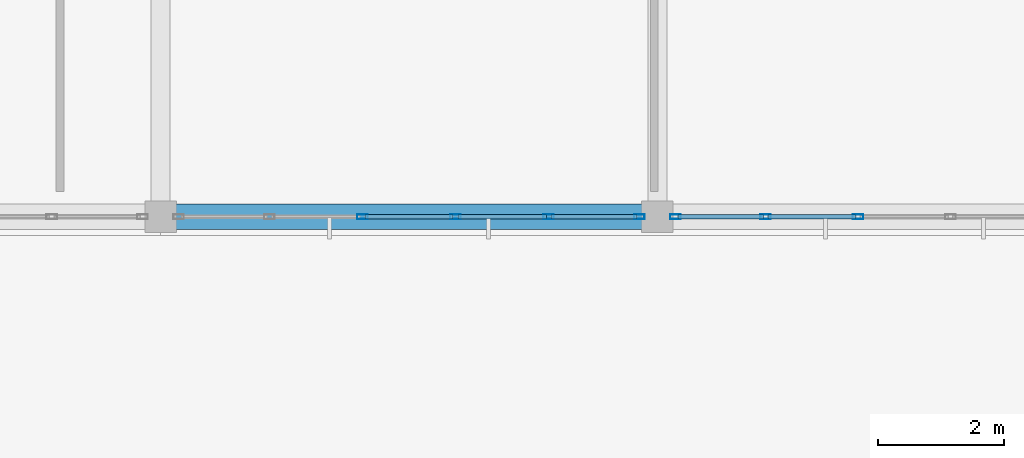
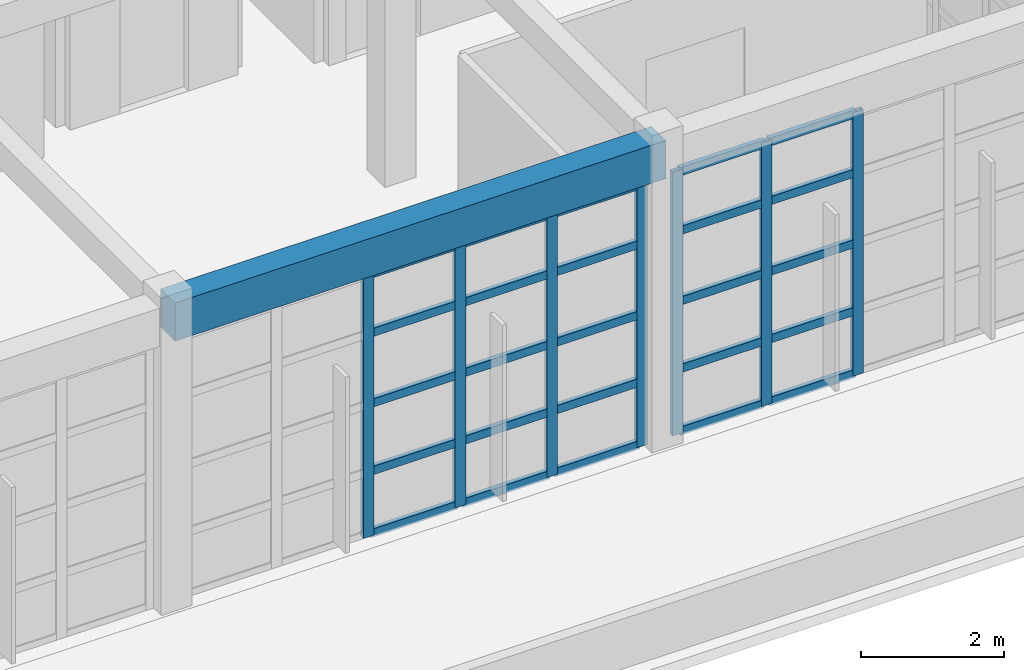
# One storey, part 7 of 103: 32 members, 1 beam, 2 elements without a shape of their own.
"""IFC4 building model written with IfcOpenShell, lengths in metres."""

from ifc_helpers import new_model, si_unit, direction, frame, origin, origin_2d, place, context, subcontext, project, spatial, rectangle, hollow_rectangle, extrude, material, layer, layer_set, material_profile, profile_set, type_object, element, aggregate, save


model = new_model("IFC4")

# Units and contexts
model_context = context("Model", 3, precision=1e-05, world=origin(), true_north=direction((0.0, 1.0)))
body_context = subcontext(model_context, "Body", "Model", "MODEL_VIEW")
ifc_project = project(units=[si_unit("LENGTHUNIT", "METRE"), si_unit("AREAUNIT", "SQUARE_METRE"), si_unit("VOLUMEUNIT", "CUBIC_METRE"), si_unit("PLANEANGLEUNIT", "RADIAN"), si_unit("MASSUNIT", "GRAM", prefix="KILO")], contexts=[model_context])

# Site, building, storey
site_placement = place(None, origin())
site = spatial("IfcSite", under=ifc_project, at=site_placement, CompositionType="ELEMENT")
building_placement = place(site_placement, origin())
building = spatial("IfcBuilding", under=site, at=building_placement, Name="Candilejo Ridge Gondola Terminal", CompositionType="ELEMENT")
storey_placement = place(building_placement, frame((0.0, 0.0, 9.0)))
storey = spatial("IfcBuildingStorey", under=building, at=storey_placement, Name="L02", CompositionType="ELEMENT", Elevation=9.0)

# Curtain wall, members
ifc_material_1 = material(Name="Anodised aluminium AA 6063-T6", Category="aluminium")
ifc_layer_1 = layer(ifc_material_1, 0.169921875)
ifc_layer_set_1 = layer_set([ifc_layer_1], Name="ARC-CW-GALLERY-3200-740X449")
curtain_wall_type_1 = type_object("IfcCurtainWallType", Name="ARC-CW-GALLERY-3200-740X449", PredefinedType="NOTDEFINED", material=ifc_layer_set_1)
curtain_wall_1_placement = place(storey_placement, origin())
curtain_wall_1 = element("IfcCurtainWall", 1, at=curtain_wall_1_placement, inside=storey, type_object=curtain_wall_type_1, Name="Curtain wall V1 L02-011", PredefinedType="NOTDEFINED")
ifc_material_2 = material(Name="Anodised aluminium AA 6063-T6", Category="aluminium")
ifc_material_profile_1 = material_profile(ifc_material_2, hollow_rectangle(XDim=0.074951171875, YDim=0.169921875, WallThickness=0.00390625, at=origin_2d()))
ifc_profile_set_1 = profile_set([ifc_material_profile_1], Name="Anodised aluminium AA 6063-T6")
member_type_1 = type_object("IfcMemberType", Name="ARC-CW-MULLION", PredefinedType="MULLION", material=ifc_profile_set_1)
member_1_placement = place(storey_placement, frame((23.31005859375, 10.800048828125, 0.0), z_axis=(0.0, 0.0, 1.0), x_axis=(0.0, 1.0, 0.0)))
member_1 = element("IfcMember", 2, at=member_1_placement, type_object=member_type_1, Name="CW-74X44 mullion 3", PredefinedType="MULLION", context=body_context, shape_type="SweptSolid", body=[
    extrude(hollow_rectangle(XDim=0.074951171875, YDim=0.169921875, WallThickness=0.00390625, at=origin_2d()), origin(), (0.0, 0.0, 1.0), 4.489990234375),
])
member_2_placement = place(storey_placement, frame((24.7900390625, 10.800048828125, 0.0), z_axis=(0.0, 0.0, 1.0), x_axis=(0.0, 1.0, 0.0)))
member_2 = element("IfcMember", 3, at=member_2_placement, type_object=member_type_1, Name="CW-74X44 mullion 4", PredefinedType="MULLION", context=body_context, shape_type="SweptSolid", body=[
    extrude(hollow_rectangle(XDim=0.074951171875, YDim=0.169921875, WallThickness=0.00390625, at=origin_2d()), origin(), (0.0, 0.0, 1.0), 4.489990234375),
])
member_3_placement = place(storey_placement, frame((26.27001953125, 10.800048828125, 0.0), z_axis=(0.0, 0.0, 1.0), x_axis=(0.0, 1.0, 0.0)))
member_3 = element("IfcMember", 4, at=member_3_placement, type_object=member_type_1, Name="CW-74X44 mullion 5", PredefinedType="MULLION", context=body_context, shape_type="SweptSolid", body=[
    extrude(hollow_rectangle(XDim=0.074951171875, YDim=0.169921875, WallThickness=0.00390625, at=origin_2d()), origin(), (0.0, 0.0, 1.0), 4.489990234375),
])
member_4_placement = place(storey_placement, frame((27.71240234375, 10.800048828125, 0.0), z_axis=(0.0, 0.0, 1.0), x_axis=(0.0, 1.0, 0.0)))
member_4 = element("IfcMember", 5, at=member_4_placement, type_object=member_type_1, Name="CW-74X44 mullion 6", PredefinedType="MULLION", context=body_context, shape_type="SweptSolid", body=[
    extrude(hollow_rectangle(XDim=0.074951171875, YDim=0.169921875, WallThickness=0.00390625, at=origin_2d()), origin(), (0.0, 0.0, 1.0), 4.489990234375),
])

ifc_material_3 = material(Name="Anodised aluminium AA 6063-T6", Category="aluminium")
ifc_layer_2 = layer(ifc_material_3, 0.169921875)
ifc_layer_set_2 = layer_set([ifc_layer_2], Name="ARC-CW-GALLERY-3200-735X449")
curtain_wall_type_2 = type_object("IfcCurtainWallType", Name="ARC-CW-GALLERY-3200-735X449", PredefinedType="NOTDEFINED", material=ifc_layer_set_2)
curtain_wall_2_placement = place(storey_placement, origin())
curtain_wall_2 = element("IfcCurtainWall", 6, at=curtain_wall_2_placement, inside=storey, type_object=curtain_wall_type_2, Name="Curtain wall V1 L02-015", PredefinedType="NOTDEFINED")
member_5_placement = place(storey_placement, frame((28.28759765625, 10.800048828125, 0.0), z_axis=(0.0, 0.0, 1.0), x_axis=(0.0, 1.0, 0.0)))
member_5 = element("IfcMember", 7, at=member_5_placement, type_object=member_type_1, Name="CW-73X44 mullion 1", PredefinedType="MULLION", context=body_context, shape_type="SweptSolid", body=[
    extrude(hollow_rectangle(XDim=0.074951171875, YDim=0.169921875, WallThickness=0.00390625, at=origin_2d()), origin(), (0.0, 0.0, 1.0), 4.489990234375),
])
member_6_placement = place(storey_placement, frame((29.719970703125, 10.800048828125, 0.0), z_axis=(0.0, 0.0, 1.0), x_axis=(0.0, 1.0, 0.0)))
member_6 = element("IfcMember", 8, at=member_6_placement, type_object=member_type_1, Name="CW-73X44 mullion 2", PredefinedType="MULLION", context=body_context, shape_type="SweptSolid", body=[
    extrude(hollow_rectangle(XDim=0.074951171875, YDim=0.169921875, WallThickness=0.00390625, at=origin_2d()), origin(), (0.0, 0.0, 1.0), 4.489990234375),
])
member_7_placement = place(storey_placement, frame((31.18994140625, 10.800048828125, 0.0), z_axis=(0.0, 0.0, 1.0), x_axis=(0.0, 1.0, 0.0)))
member_7 = element("IfcMember", 9, at=member_7_placement, type_object=member_type_1, Name="CW-73X44 mullion 3", PredefinedType="MULLION", context=body_context, shape_type="SweptSolid", body=[
    extrude(hollow_rectangle(XDim=0.074951171875, YDim=0.169921875, WallThickness=0.00390625, at=origin_2d()), origin(), (0.0, 0.0, 1.0), 4.489990234375),
])

# Member
ifc_material_4 = material(Name="Anodised aluminium AA 6063-T6", Category="aluminium")
ifc_material_profile_2 = material_profile(ifc_material_4, hollow_rectangle(XDim=0.074951171875, YDim=0.139892578125, WallThickness=0.00390625, at=origin_2d()))
ifc_profile_set_2 = profile_set([ifc_material_profile_2], Name="Anodised aluminium AA 6063-T6")
member_type_2 = type_object("IfcMemberType", Name="ARC-CW-TRANSOM", PredefinedType="USERDEFINED", material=ifc_profile_set_2)
member_8_placement = place(storey_placement, frame((23.347412109375, 10.800048828125, 0.03759765625), z_axis=(1.0, 0.0, 0.0), x_axis=(0.0, 1.0, 0.0)))
member_8 = element("IfcMember", 10, at=member_8_placement, type_object=member_type_2, Name="CW-74X44 transom 3.1", ObjectType="TRANSOM", PredefinedType="USERDEFINED", context=body_context, shape_type="SweptSolid", body=[
    extrude(hollow_rectangle(XDim=0.074951171875, YDim=0.139892578125, WallThickness=0.00390625, at=origin_2d()), origin(), (0.0, 0.0, 1.0), 1.405029296875),
])

member_9_placement = place(storey_placement, frame((23.347412109375, 10.800048828125, 1.10009765625), z_axis=(1.0, 0.0, 0.0), x_axis=(0.0, 1.0, 0.0)))
member_9 = element("IfcMember", 11, at=member_9_placement, type_object=member_type_2, Name="CW-74X44 transom 3.2", ObjectType="TRANSOM", PredefinedType="USERDEFINED", context=body_context, shape_type="SweptSolid", body=[
    extrude(hollow_rectangle(XDim=0.074951171875, YDim=0.139892578125, WallThickness=0.00390625, at=origin_2d()), origin(), (0.0, 0.0, 1.0), 1.405029296875),
])

member_10_placement = place(storey_placement, frame((23.347412109375, 10.800048828125, 2.25), z_axis=(1.0, 0.0, 0.0), x_axis=(0.0, 1.0, 0.0)))
member_10 = element("IfcMember", 12, at=member_10_placement, type_object=member_type_2, Name="CW-74X44 transom 3.3", ObjectType="TRANSOM", PredefinedType="USERDEFINED", context=body_context, shape_type="SweptSolid", body=[
    extrude(hollow_rectangle(XDim=0.074951171875, YDim=0.139892578125, WallThickness=0.00390625, at=origin_2d()), origin(), (0.0, 0.0, 1.0), 1.405029296875),
])

member_11_placement = place(storey_placement, frame((23.347412109375, 10.800048828125, 3.449951171875), z_axis=(1.0, 0.0, 0.0), x_axis=(0.0, 1.0, 0.0)))
member_11 = element("IfcMember", 13, at=member_11_placement, type_object=member_type_2, Name="CW-74X44 transom 3.4", ObjectType="TRANSOM", PredefinedType="USERDEFINED", context=body_context, shape_type="SweptSolid", body=[
    extrude(hollow_rectangle(XDim=0.074951171875, YDim=0.139892578125, WallThickness=0.00390625, at=origin_2d()), origin(), (0.0, 0.0, 1.0), 1.405029296875),
])

member_12_placement = place(storey_placement, frame((23.347412109375, 10.800048828125, 4.452392578125), z_axis=(1.0, 0.0, 0.0), x_axis=(0.0, 1.0, 0.0)))
member_12 = element("IfcMember", 14, at=member_12_placement, type_object=member_type_2, Name="CW-74X44 transom 3.5", ObjectType="TRANSOM", PredefinedType="USERDEFINED", context=body_context, shape_type="SweptSolid", body=[
    extrude(hollow_rectangle(XDim=0.074951171875, YDim=0.139892578125, WallThickness=0.00390625, at=origin_2d()), origin(), (0.0, 0.0, 1.0), 1.405029296875),
])

member_13_placement = place(storey_placement, frame((24.827392578125, 10.800048828125, 0.03759765625), z_axis=(1.0, 0.0, 0.0), x_axis=(0.0, 1.0, 0.0)))
member_13 = element("IfcMember", 15, at=member_13_placement, type_object=member_type_2, Name="CW-74X44 transom 4.1", ObjectType="TRANSOM", PredefinedType="USERDEFINED", context=body_context, shape_type="SweptSolid", body=[
    extrude(hollow_rectangle(XDim=0.074951171875, YDim=0.139892578125, WallThickness=0.00390625, at=origin_2d()), origin(), (0.0, 0.0, 1.0), 1.405029296875),
])

member_14_placement = place(storey_placement, frame((24.827392578125, 10.800048828125, 1.10009765625), z_axis=(1.0, 0.0, 0.0), x_axis=(0.0, 1.0, 0.0)))
member_14 = element("IfcMember", 16, at=member_14_placement, type_object=member_type_2, Name="CW-74X44 transom 4.2", ObjectType="TRANSOM", PredefinedType="USERDEFINED", context=body_context, shape_type="SweptSolid", body=[
    extrude(hollow_rectangle(XDim=0.074951171875, YDim=0.139892578125, WallThickness=0.00390625, at=origin_2d()), origin(), (0.0, 0.0, 1.0), 1.405029296875),
])

member_15_placement = place(storey_placement, frame((24.827392578125, 10.800048828125, 2.25), z_axis=(1.0, 0.0, 0.0), x_axis=(0.0, 1.0, 0.0)))
member_15 = element("IfcMember", 17, at=member_15_placement, type_object=member_type_2, Name="CW-74X44 transom 4.3", ObjectType="TRANSOM", PredefinedType="USERDEFINED", context=body_context, shape_type="SweptSolid", body=[
    extrude(hollow_rectangle(XDim=0.074951171875, YDim=0.139892578125, WallThickness=0.00390625, at=origin_2d()), origin(), (0.0, 0.0, 1.0), 1.405029296875),
])

member_16_placement = place(storey_placement, frame((24.827392578125, 10.800048828125, 3.449951171875), z_axis=(1.0, 0.0, 0.0), x_axis=(0.0, 1.0, 0.0)))
member_16 = element("IfcMember", 18, at=member_16_placement, type_object=member_type_2, Name="CW-74X44 transom 4.4", ObjectType="TRANSOM", PredefinedType="USERDEFINED", context=body_context, shape_type="SweptSolid", body=[
    extrude(hollow_rectangle(XDim=0.074951171875, YDim=0.139892578125, WallThickness=0.00390625, at=origin_2d()), origin(), (0.0, 0.0, 1.0), 1.405029296875),
])

member_17_placement = place(storey_placement, frame((24.827392578125, 10.800048828125, 4.452392578125), z_axis=(1.0, 0.0, 0.0), x_axis=(0.0, 1.0, 0.0)))
member_17 = element("IfcMember", 19, at=member_17_placement, type_object=member_type_2, Name="CW-74X44 transom 4.5", ObjectType="TRANSOM", PredefinedType="USERDEFINED", context=body_context, shape_type="SweptSolid", body=[
    extrude(hollow_rectangle(XDim=0.074951171875, YDim=0.139892578125, WallThickness=0.00390625, at=origin_2d()), origin(), (0.0, 0.0, 1.0), 1.405029296875),
])

member_18_placement = place(storey_placement, frame((26.3076171875, 10.800048828125, 0.03759765625), z_axis=(1.0, 0.0, 0.0), x_axis=(0.0, 1.0, 0.0)))
member_18 = element("IfcMember", 20, at=member_18_placement, type_object=member_type_2, Name="CW-74X44 transom 5.1", ObjectType="TRANSOM", PredefinedType="USERDEFINED", context=body_context, shape_type="SweptSolid", body=[
    extrude(hollow_rectangle(XDim=0.074951171875, YDim=0.139892578125, WallThickness=0.00390625, at=origin_2d()), origin(), (0.0, 0.0, 1.0), 1.367431640625),
])

member_19_placement = place(storey_placement, frame((26.3076171875, 10.800048828125, 1.10009765625), z_axis=(1.0, 0.0, 0.0), x_axis=(0.0, 1.0, 0.0)))
member_19 = element("IfcMember", 21, at=member_19_placement, type_object=member_type_2, Name="CW-74X44 transom 5.2", ObjectType="TRANSOM", PredefinedType="USERDEFINED", context=body_context, shape_type="SweptSolid", body=[
    extrude(hollow_rectangle(XDim=0.074951171875, YDim=0.139892578125, WallThickness=0.00390625, at=origin_2d()), origin(), (0.0, 0.0, 1.0), 1.367431640625),
])

member_20_placement = place(storey_placement, frame((26.3076171875, 10.800048828125, 2.25), z_axis=(1.0, 0.0, 0.0), x_axis=(0.0, 1.0, 0.0)))
member_20 = element("IfcMember", 22, at=member_20_placement, type_object=member_type_2, Name="CW-74X44 transom 5.3", ObjectType="TRANSOM", PredefinedType="USERDEFINED", context=body_context, shape_type="SweptSolid", body=[
    extrude(hollow_rectangle(XDim=0.074951171875, YDim=0.139892578125, WallThickness=0.00390625, at=origin_2d()), origin(), (0.0, 0.0, 1.0), 1.367431640625),
])

member_21_placement = place(storey_placement, frame((26.3076171875, 10.800048828125, 3.449951171875), z_axis=(1.0, 0.0, 0.0), x_axis=(0.0, 1.0, 0.0)))
member_21 = element("IfcMember", 23, at=member_21_placement, type_object=member_type_2, Name="CW-74X44 transom 5.4", ObjectType="TRANSOM", PredefinedType="USERDEFINED", context=body_context, shape_type="SweptSolid", body=[
    extrude(hollow_rectangle(XDim=0.074951171875, YDim=0.139892578125, WallThickness=0.00390625, at=origin_2d()), origin(), (0.0, 0.0, 1.0), 1.367431640625),
])

member_22_placement = place(storey_placement, frame((26.3076171875, 10.800048828125, 4.452392578125), z_axis=(1.0, 0.0, 0.0), x_axis=(0.0, 1.0, 0.0)))
member_22 = element("IfcMember", 24, at=member_22_placement, type_object=member_type_2, Name="CW-74X44 transom 5.5", ObjectType="TRANSOM", PredefinedType="USERDEFINED", context=body_context, shape_type="SweptSolid", body=[
    extrude(hollow_rectangle(XDim=0.074951171875, YDim=0.139892578125, WallThickness=0.00390625, at=origin_2d()), origin(), (0.0, 0.0, 1.0), 1.367431640625),
])

aggregate(curtain_wall_1, [member_1, member_2, member_3, member_4, member_8, member_9, member_10, member_11, member_12, member_13, member_14, member_15, member_16, member_17, member_18, member_19, member_20, member_21, member_22])

member_23_placement = place(storey_placement, frame((28.324951171875, 10.800048828125, 0.03759765625), z_axis=(1.0, 0.0, 0.0), x_axis=(0.0, 1.0, 0.0)))
member_23 = element("IfcMember", 25, at=member_23_placement, type_object=member_type_2, Name="CW-73X44 transom 1.1", ObjectType="TRANSOM", PredefinedType="USERDEFINED", context=body_context, shape_type="SweptSolid", body=[
    extrude(hollow_rectangle(XDim=0.074951171875, YDim=0.139892578125, WallThickness=0.00390625, at=origin_2d()), origin(), (0.0, 0.0, 1.0), 1.357666015625),
])

member_24_placement = place(storey_placement, frame((28.324951171875, 10.800048828125, 1.10009765625), z_axis=(1.0, 0.0, 0.0), x_axis=(0.0, 1.0, 0.0)))
member_24 = element("IfcMember", 26, at=member_24_placement, type_object=member_type_2, Name="CW-73X44 transom 1.2", ObjectType="TRANSOM", PredefinedType="USERDEFINED", context=body_context, shape_type="SweptSolid", body=[
    extrude(hollow_rectangle(XDim=0.074951171875, YDim=0.139892578125, WallThickness=0.00390625, at=origin_2d()), origin(), (0.0, 0.0, 1.0), 1.357666015625),
])

member_25_placement = place(storey_placement, frame((28.324951171875, 10.800048828125, 2.25), z_axis=(1.0, 0.0, 0.0), x_axis=(0.0, 1.0, 0.0)))
member_25 = element("IfcMember", 27, at=member_25_placement, type_object=member_type_2, Name="CW-73X44 transom 1.3", ObjectType="TRANSOM", PredefinedType="USERDEFINED", context=body_context, shape_type="SweptSolid", body=[
    extrude(hollow_rectangle(XDim=0.074951171875, YDim=0.139892578125, WallThickness=0.00390625, at=origin_2d()), origin(), (0.0, 0.0, 1.0), 1.357666015625),
])

member_26_placement = place(storey_placement, frame((28.324951171875, 10.800048828125, 3.449951171875), z_axis=(1.0, 0.0, 0.0), x_axis=(0.0, 1.0, 0.0)))
member_26 = element("IfcMember", 28, at=member_26_placement, type_object=member_type_2, Name="CW-73X44 transom 1.4", ObjectType="TRANSOM", PredefinedType="USERDEFINED", context=body_context, shape_type="SweptSolid", body=[
    extrude(hollow_rectangle(XDim=0.074951171875, YDim=0.139892578125, WallThickness=0.00390625, at=origin_2d()), origin(), (0.0, 0.0, 1.0), 1.357666015625),
])

member_27_placement = place(storey_placement, frame((28.324951171875, 10.800048828125, 4.452392578125), z_axis=(1.0, 0.0, 0.0), x_axis=(0.0, 1.0, 0.0)))
member_27 = element("IfcMember", 29, at=member_27_placement, type_object=member_type_2, Name="CW-73X44 transom 1.5", ObjectType="TRANSOM", PredefinedType="USERDEFINED", context=body_context, shape_type="SweptSolid", body=[
    extrude(hollow_rectangle(XDim=0.074951171875, YDim=0.139892578125, WallThickness=0.00390625, at=origin_2d()), origin(), (0.0, 0.0, 1.0), 1.357666015625),
])

member_28_placement = place(storey_placement, frame((29.757568359375, 10.800048828125, 0.03759765625), z_axis=(1.0, 0.0, 0.0), x_axis=(0.0, 1.0, 0.0)))
member_28 = element("IfcMember", 30, at=member_28_placement, type_object=member_type_2, Name="CW-73X44 transom 2.1", ObjectType="TRANSOM", PredefinedType="USERDEFINED", context=body_context, shape_type="SweptSolid", body=[
    extrude(hollow_rectangle(XDim=0.074951171875, YDim=0.139892578125, WallThickness=0.00390625, at=origin_2d()), origin(), (0.0, 0.0, 1.0), 1.39501953125),
])

member_29_placement = place(storey_placement, frame((29.757568359375, 10.800048828125, 1.10009765625), z_axis=(1.0, 0.0, 0.0), x_axis=(0.0, 1.0, 0.0)))
member_29 = element("IfcMember", 31, at=member_29_placement, type_object=member_type_2, Name="CW-73X44 transom 2.2", ObjectType="TRANSOM", PredefinedType="USERDEFINED", context=body_context, shape_type="SweptSolid", body=[
    extrude(hollow_rectangle(XDim=0.074951171875, YDim=0.139892578125, WallThickness=0.00390625, at=origin_2d()), origin(), (0.0, 0.0, 1.0), 1.39501953125),
])

member_30_placement = place(storey_placement, frame((29.757568359375, 10.800048828125, 2.25), z_axis=(1.0, 0.0, 0.0), x_axis=(0.0, 1.0, 0.0)))
member_30 = element("IfcMember", 32, at=member_30_placement, type_object=member_type_2, Name="CW-73X44 transom 2.3", ObjectType="TRANSOM", PredefinedType="USERDEFINED", context=body_context, shape_type="SweptSolid", body=[
    extrude(hollow_rectangle(XDim=0.074951171875, YDim=0.139892578125, WallThickness=0.00390625, at=origin_2d()), origin(), (0.0, 0.0, 1.0), 1.39501953125),
])

member_31_placement = place(storey_placement, frame((29.757568359375, 10.800048828125, 3.449951171875), z_axis=(1.0, 0.0, 0.0), x_axis=(0.0, 1.0, 0.0)))
member_31 = element("IfcMember", 33, at=member_31_placement, type_object=member_type_2, Name="CW-73X44 transom 2.4", ObjectType="TRANSOM", PredefinedType="USERDEFINED", context=body_context, shape_type="SweptSolid", body=[
    extrude(hollow_rectangle(XDim=0.074951171875, YDim=0.139892578125, WallThickness=0.00390625, at=origin_2d()), origin(), (0.0, 0.0, 1.0), 1.39501953125),
])

member_32_placement = place(storey_placement, frame((29.757568359375, 10.800048828125, 4.452392578125), z_axis=(1.0, 0.0, 0.0), x_axis=(0.0, 1.0, 0.0)))
member_32 = element("IfcMember", 34, at=member_32_placement, type_object=member_type_2, Name="CW-73X44 transom 2.5", ObjectType="TRANSOM", PredefinedType="USERDEFINED", context=body_context, shape_type="SweptSolid", body=[
    extrude(hollow_rectangle(XDim=0.074951171875, YDim=0.139892578125, WallThickness=0.00390625, at=origin_2d()), origin(), (0.0, 0.0, 1.0), 1.39501953125),
])

aggregate(curtain_wall_2, [member_5, member_6, member_7, member_23, member_24, member_25, member_26, member_27, member_28, member_29, member_30, member_31, member_32])

# Beam
ifc_material_5 = material(Name="Concrete f'c 35 MPa (C35/45)", Category="concrete")
ifc_material_profile_3 = material_profile(ifc_material_5, rectangle(XDim=0.39990234375, YDim=0.64990234375, at=origin_2d()))
ifc_profile_set_3 = profile_set([ifc_material_profile_3], Name="Concrete f'c 35 MPa (C35/45)")
beam_type = type_object("IfcBeamType", Name="STR-SPN-RC400X650", PredefinedType="SPANDREL", material=ifc_profile_set_3)
beam_placement = place(storey_placement, frame((20.10009765625, 10.800048828125, 4.875), z_axis=(1.0, 0.0, 0.0), x_axis=(0.0, 1.0, 0.0)))
element("IfcBeam", 35, at=beam_placement, inside=storey, type_object=beam_type, Name="Beam X V1 L02 X03-X04@Y02", PredefinedType="SPANDREL", context=body_context, shape_type="SweptSolid", body=[
    extrude(rectangle(XDim=0.39990234375, YDim=0.64990234375, at=origin_2d()), origin(), (0.0, 0.0, 1.0), 7.89990234375),
])

save(model, "model.ifc")
